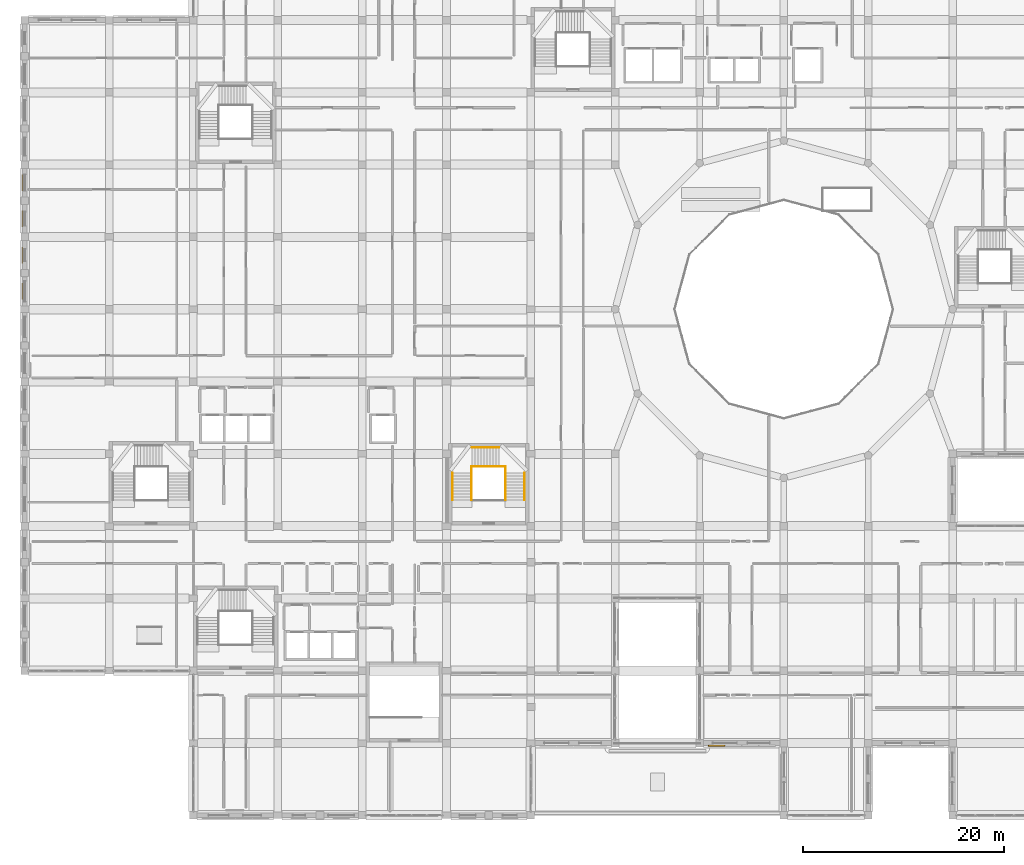
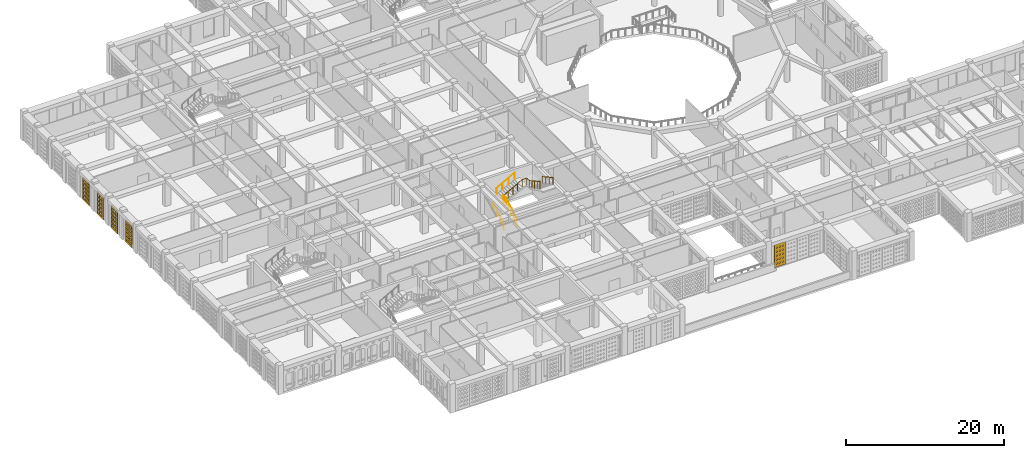
# One storey, part 81 of 111: 6 railings, 5 coverings.
"""IFC4 building model written with IfcOpenShell, lengths in metres."""

from ifc_helpers import new_model, si_unit, derived_unit, direction, frame, origin, origin_2d, place, context, subcontext, project, spatial, polyline, circle, outline, extrude, material, layer, layer_set, type_object, element, save


model = new_model("IFC4")

# Units and contexts
model_context = context("Model", 3, precision=1e-05, world=origin(), true_north=direction((0.0, 1.0)))
body_context = subcontext(model_context, "Body", "Model", "MODEL_VIEW")
ifc_project = project(units=[si_unit("LENGTHUNIT", "METRE"), si_unit("AREAUNIT", "SQUARE_METRE"), si_unit("VOLUMEUNIT", "CUBIC_METRE"), si_unit("PLANEANGLEUNIT", "RADIAN"), si_unit("MASSUNIT", "GRAM", prefix="KILO"), derived_unit("THERMALTRANSMITTANCEUNIT", [(si_unit("POWERUNIT", "WATT"), 1), (si_unit("LENGTHUNIT", "METRE"), -2), (si_unit("THERMODYNAMICTEMPERATUREUNIT", "KELVIN"), -1)])], contexts=[model_context])

# Site, building, storey
site_placement = place(None, origin())
site = spatial("IfcSite", under=ifc_project, at=site_placement, CompositionType="ELEMENT")
building_placement = place(site_placement, origin())
building = spatial("IfcBuilding", under=site, at=building_placement, Name="Veybourne Emporium", CompositionType="ELEMENT")
storey_placement = place(building_placement, frame((0.0, 0.0, 9.89990234375)))
storey = spatial("IfcBuildingStorey", under=building, at=storey_placement, Name="L02", CompositionType="ELEMENT", Elevation=9.89990234375)

# Railings
ifc_material_1 = material(Name="Brushed Stainless Steel", Category="steel")
railing_type_1 = type_object("IfcRailingType", Name="Guard_GR-01", PredefinedType="GUARDRAIL", material=ifc_material_1)
railing_1_placement = place(storey_placement, frame((44.510009765625, 31.39990234375, 0.0)))
element("IfcRailing", 1, at=railing_1_placement, inside=storey, type_object=railing_type_1, Name="L02 ST-05 stair guard 1", PredefinedType="GUARDRAIL", context=body_context, shape_type="SweptSolid", body=[
    extrude(circle(Radius=0.02392578125, at=origin_2d()), frame((0.0, 0.0, 1.1259765625), z_axis=(0.0, 0.874172188743, 0.48561608749), x_axis=(-1.0, 0.0, 0.0)), (0.0, 0.0, 1.0), 3.0888671875),
    extrude(circle(Radius=0.02392578125, at=origin_2d()), frame((0.0, 2.7001953125, 2.6259765625), z_axis=(0.0, 1.0, 0.0), x_axis=(-1.0, 0.0, 0.0)), (0.0, 0.0, 1.0), 0.639892578125),
    extrude(circle(Radius=0.02099609375, at=origin_2d()), origin(), (0.0, 0.0, 1.0), 1.101806640625),
    extrude(circle(Radius=0.02099609375, at=origin_2d()), frame((0.0, 0.675048828125, 0.375)), (0.0, 0.0, 1.0), 1.101806640625),
    extrude(circle(Radius=0.02099609375, at=origin_2d()), frame((0.0, 1.35009765625, 0.75)), (0.0, 0.0, 1.0), 1.101806640625),
    extrude(circle(Radius=0.02099609375, at=origin_2d()), frame((0.0, 2.025146484375, 1.125)), (0.0, 0.0, 1.0), 1.101806640625),
    extrude(circle(Radius=0.02099609375, at=origin_2d()), frame((0.0, 2.7001953125, 1.5)), (0.0, 0.0, 1.0), 1.101806640625),
    extrude(circle(Radius=0.02099609375, at=origin_2d()), frame((0.0, 3.340087890625, 1.5)), (0.0, 0.0, 1.0), 1.101806640625),
])
railing_2_placement = place(storey_placement, frame((44.510009765625, 34.739990234375, 1.5)))
element("IfcRailing", 2, at=railing_2_placement, inside=storey, type_object=railing_type_1, Name="L02 ST-05 stair guard 2", PredefinedType="GUARDRAIL", context=body_context, shape_type="SweptSolid", body=[
    extrude(circle(Radius=0.02392578125, at=origin_2d()), frame((0.0, 0.0, 1.1259765625), z_axis=(0.87715976088, 0.0, 0.480198660861), x_axis=(0.0, 1.0, 0.0)), (0.0, 0.0, 1.0), 3.123779296875),
    extrude(circle(Radius=0.02392578125, at=origin_2d()), frame((2.739990234375, 0.0, 2.6259765625), z_axis=(1.0, 0.0, 0.0), x_axis=(0.0, 1.0, 0.0)), (0.0, 0.0, 1.0), 0.639892578125),
    extrude(circle(Radius=0.02099609375, at=origin_2d()), origin(), (0.0, 0.0, 1.0), 1.101806640625),
    extrude(circle(Radius=0.02099609375, at=origin_2d()), frame((0.68505859375, 0.0, 0.375)), (0.0, 0.0, 1.0), 1.101806640625),
    extrude(circle(Radius=0.02099609375, at=origin_2d()), frame((1.3701171875, 0.0, 0.75)), (0.0, 0.0, 1.0), 1.101806640625),
    extrude(circle(Radius=0.02099609375, at=origin_2d()), frame((2.054931640625, 0.0, 1.125)), (0.0, 0.0, 1.0), 1.101806640625),
    extrude(circle(Radius=0.02099609375, at=origin_2d()), frame((2.739990234375, 0.0, 1.5)), (0.0, 0.0, 1.0), 1.101806640625),
    extrude(circle(Radius=0.02099609375, at=origin_2d()), frame((3.3798828125, 0.0, 1.5)), (0.0, 0.0, 1.0), 1.101806640625),
])
railing_3_placement = place(storey_placement, frame((47.889892578125, 34.739990234375, 3.0)))
element("IfcRailing", 3, at=railing_3_placement, inside=storey, type_object=railing_type_1, Name="L02 ST-05 stair guard 3", PredefinedType="GUARDRAIL", context=body_context, shape_type="SweptSolid", body=[
    extrude(circle(Radius=0.02392578125, at=origin_2d()), frame((0.0, 0.0, 1.1259765625), z_axis=(0.0, -1.0, 0.0), x_axis=(1.0, 0.0, 0.0)), (0.0, 0.0, 1.0), 0.639892578125),
    extrude(circle(Radius=0.02392578125, at=origin_2d()), frame((0.0, -0.639892578125, 1.1259765625), z_axis=(0.0, -0.874172188743, 0.48561608749), x_axis=(1.0, 0.0, 0.0)), (0.0, 0.0, 1.0), 3.0888671875),
    extrude(circle(Radius=0.02099609375, at=origin_2d()), origin(), (0.0, 0.0, 1.0), 1.101806640625),
    extrude(circle(Radius=0.02099609375, at=origin_2d()), frame((0.0, -0.639892578125, 0.0)), (0.0, 0.0, 1.0), 1.101806640625),
    extrude(circle(Radius=0.02099609375, at=origin_2d()), frame((0.0, -1.31494140625, 0.375)), (0.0, 0.0, 1.0), 1.101806640625),
    extrude(circle(Radius=0.02099609375, at=origin_2d()), frame((0.0, -1.989990234375, 0.75)), (0.0, 0.0, 1.0), 1.101806640625),
    extrude(circle(Radius=0.02099609375, at=origin_2d()), frame((0.0, -2.6650390625, 1.125)), (0.0, 0.0, 1.0), 1.101806640625),
    extrude(circle(Radius=0.02099609375, at=origin_2d()), frame((0.0, -3.340087890625, 1.5)), (0.0, 0.0, 1.0), 1.101806640625),
])
railing_type_2 = type_object("IfcRailingType", Name="Handrail_HR-01", PredefinedType="HANDRAIL", material=ifc_material_1)
railing_4_placement = place(storey_placement, frame((42.610107421875, 31.39990234375, 0.150146484375)))
element("IfcRailing", 4, at=railing_4_placement, inside=storey, type_object=railing_type_2, Name="L02 ST-05 pitch handrail 1", PredefinedType="HANDRAIL", context=body_context, shape_type="SweptSolid", body=[
    extrude(circle(Radius=0.02392578125, at=origin_2d()), frame((0.0, 0.0, 0.92578125), z_axis=(0.0, 0.874172188743, 0.48561608749), x_axis=(-1.0, 0.0, 0.0)), (0.0, 0.0, 1.0), 3.0888671875),
    extrude(circle(Radius=0.02099609375, at=origin_2d()), frame((0.0, 0.0, -0.14990234375)), (0.0, 0.0, 1.0), 1.0517578125),
    extrude(circle(Radius=0.02099609375, at=origin_2d()), frame((0.0, 0.900146484375, 0.35009765625)), (0.0, 0.0, 1.0), 1.0517578125),
    extrude(circle(Radius=0.02099609375, at=origin_2d()), frame((0.0, 1.800048828125, 0.85009765625)), (0.0, 0.0, 1.0), 1.0517578125),
    extrude(circle(Radius=0.02099609375, at=origin_2d()), frame((0.0, 2.7001953125, 1.35009765625)), (0.0, 0.0, 1.0), 1.0517578125),
])
railing_5_placement = place(storey_placement, frame((44.550048828125, 36.639892578125, 1.650146484375)))
element("IfcRailing", 5, at=railing_5_placement, inside=storey, type_object=railing_type_2, Name="L02 ST-05 pitch handrail 2", PredefinedType="HANDRAIL", context=body_context, shape_type="SweptSolid", body=[
    extrude(circle(Radius=0.02392578125, at=origin_2d()), frame((0.0, 0.0, 0.92578125), z_axis=(0.87415354758, 0.0, 0.485649642493), x_axis=(0.0, 1.0, 0.0)), (0.0, 0.0, 1.0), 3.088623046875),
    extrude(circle(Radius=0.02099609375, at=origin_2d()), frame((0.0, 0.0, -0.14990234375)), (0.0, 0.0, 1.0), 1.0517578125),
    extrude(circle(Radius=0.02099609375, at=origin_2d()), frame((0.89990234375, 0.0, 0.35009765625)), (0.0, 0.0, 1.0), 1.0517578125),
    extrude(circle(Radius=0.02099609375, at=origin_2d()), frame((1.800048828125, 0.0, 0.85009765625)), (0.0, 0.0, 1.0), 1.0517578125),
    extrude(circle(Radius=0.02099609375, at=origin_2d()), frame((2.699951171875, 0.0, 1.35009765625)), (0.0, 0.0, 1.0), 1.0517578125),
])
railing_6_placement = place(storey_placement, frame((49.7900390625, 34.10009765625, 3.150146484375)))
element("IfcRailing", 6, at=railing_6_placement, inside=storey, type_object=railing_type_2, Name="L02 ST-05 pitch handrail 3", PredefinedType="HANDRAIL", context=body_context, shape_type="SweptSolid", body=[
    extrude(circle(Radius=0.02392578125, at=origin_2d()), frame((0.0, 0.0, 0.92578125), z_axis=(0.0, -0.874172188743, 0.48561608749), x_axis=(1.0, 0.0, 0.0)), (0.0, 0.0, 1.0), 3.0888671875),
    extrude(circle(Radius=0.02099609375, at=origin_2d()), frame((0.0, 0.0, -0.14990234375)), (0.0, 0.0, 1.0), 1.0517578125),
    extrude(circle(Radius=0.02099609375, at=origin_2d()), frame((0.0, -0.900146484375, 0.35009765625)), (0.0, 0.0, 1.0), 1.0517578125),
    extrude(circle(Radius=0.02099609375, at=origin_2d()), frame((0.0, -1.800048828125, 0.85009765625)), (0.0, 0.0, 1.0), 1.0517578125),
    extrude(circle(Radius=0.02099609375, at=origin_2d()), frame((0.0, -2.7001953125, 1.35009765625)), (0.0, 0.0, 1.0), 1.0517578125),
])

# Coverings
ifc_material_2 = material(Name="Warm-White Perforated Aluminium Screen Alloy", Category="aluminium")
ifc_layer_1 = layer(ifc_material_2, 0.06005859375)
ifc_layer_set_1 = layer_set([ifc_layer_1], Name="Warm-White Perforated Aluminium Screen Alloy")
covering_type_1 = type_object("IfcCoveringType", Name="WaveScreen_SCR-02", PredefinedType="CLADDING", material=ifc_layer_set_1)
covering_1_placement = place(storey_placement, frame((68.8798828125, 6.90185546875, 1.815185546875), z_axis=(0.0, 1.0, 0.0), x_axis=(-1.0, 0.0, 0.0)))
element("IfcCovering", 7, at=covering_1_placement, inside=storey, type_object=covering_type_1, Name="L02 wave-perforated aluminium screen SCR-02 (35.4)", PredefinedType="CLADDING", context=body_context, shape_type="SweptSolid", body=[
    extrude(outline(polyline([(-0.81982421875, -1.7548828125), (0.81982421875, -1.7548828125), (0.81982421875, 1.7548828125), (-0.81982421875, 1.7548828125), (-0.81982421875, -1.7548828125)]), holes=[polyline([(-0.433349609375, -1.102783203125), (-0.32080078125, -1.182861328125), (-0.32080078125, -1.273193359375), (-0.433349609375, -1.353271484375), (-0.5458984375, -1.273193359375), (-0.5458984375, -1.182861328125), (-0.433349609375, -1.102783203125)]), polyline([(-0.433349609375, -0.495849609375), (-0.32666015625, -0.571533203125), (-0.32666015625, -0.656494140625), (-0.433349609375, -0.732177734375), (-0.539794921875, -0.656494140625), (-0.539794921875, -0.571533203125), (-0.433349609375, -0.495849609375)]), polyline([(-0.433349609375, 0.113037109375), (-0.330810546875, 0.040771484375), (-0.330810546875, -0.040771484375), (-0.433349609375, -0.113037109375), (-0.535888671875, -0.040771484375), (-0.535888671875, 0.040771484375), (-0.433349609375, 0.113037109375)]), polyline([(-0.433349609375, 0.724365234375), (-0.3330078125, 0.65380859375), (-0.3330078125, 0.57421875), (-0.433349609375, 0.503662109375), (-0.53369140625, 0.57421875), (-0.53369140625, 0.65380859375), (-0.433349609375, 0.724365234375)]), polyline([(-0.433349609375, 1.338134765625), (-0.333251953125, 1.267578125), (-0.333251953125, 1.188232421875), (-0.433349609375, 1.117919921875), (-0.533447265625, 1.188232421875), (-0.533447265625, 1.267578125), (-0.433349609375, 1.338134765625)]), polyline([(0.0, -1.098876953125), (0.11572265625, -1.181396484375), (0.11572265625, -1.2744140625), (0.0, -1.357177734375), (-0.11572265625, -1.2744140625), (-0.11572265625, -1.181396484375), (0.0, -1.098876953125)]), polyline([(0.0, -0.492919921875), (0.109130859375, -0.5703125), (0.109130859375, -0.65771484375), (0.0, -0.735107421875), (-0.109130859375, -0.65771484375), (-0.109130859375, -0.5703125), (0.0, -0.492919921875)]), polyline([(0.0, 0.114990234375), (0.10400390625, 0.04150390625), (0.10400390625, -0.04150390625), (0.0, -0.114990234375), (-0.10400390625, -0.04150390625), (-0.10400390625, 0.04150390625), (0.0, 0.114990234375)]), polyline([(0.0, 0.725341796875), (0.10107421875, 0.654052734375), (0.10107421875, 0.573974609375), (0.0, 0.502685546875), (-0.10107421875, 0.573974609375), (-0.10107421875, 0.654052734375), (0.0, 0.725341796875)]), polyline([(0.0, 1.337890625), (0.10009765625, 1.267578125), (0.10009765625, 1.1884765625), (0.0, 1.117919921875), (-0.10009765625, 1.1884765625), (-0.10009765625, 1.267578125), (0.0, 1.337890625)]), polyline([(0.433349609375, -1.094482421875), (0.552490234375, -1.179931640625), (0.552490234375, -1.276123046875), (0.433349609375, -1.361572265625), (0.314208984375, -1.276123046875), (0.314208984375, -1.179931640625), (0.433349609375, -1.094482421875)]), polyline([(0.433349609375, -0.489501953125), (0.545166015625, -0.569091796875), (0.545166015625, -0.65869140625), (0.433349609375, -0.738525390625), (0.321533203125, -0.65869140625), (0.321533203125, -0.569091796875), (0.433349609375, -0.489501953125)]), polyline([(0.433349609375, 0.117431640625), (0.53955078125, 0.042236328125), (0.53955078125, -0.042236328125), (0.433349609375, -0.117431640625), (0.3271484375, -0.042236328125), (0.3271484375, 0.042236328125), (0.433349609375, 0.117431640625)]), polyline([(0.433349609375, 0.726806640625), (0.53564453125, 0.654541015625), (0.53564453125, 0.573486328125), (0.433349609375, 0.501220703125), (0.3310546875, 0.573486328125), (0.3310546875, 0.654541015625), (0.433349609375, 0.726806640625)]), polyline([(0.433349609375, 1.33837890625), (0.53369140625, 1.267578125), (0.53369140625, 1.188232421875), (0.433349609375, 1.11767578125), (0.3330078125, 1.188232421875), (0.3330078125, 1.267578125), (0.433349609375, 1.33837890625)])]), origin(), (0.0, 0.0, 1.0), 0.06005859375),
])
ifc_layer_2 = layer(ifc_material_2, 0.06005859375)
ifc_layer_set_2 = layer_set([ifc_layer_2], Name="Warm-White Perforated Aluminium Screen Alloy")
covering_type_2 = type_object("IfcCoveringType", Name="WaveScreen_SCR-03", PredefinedType="CLADDING", material=ifc_layer_set_2)
covering_2_placement = place(storey_placement, frame((-0.298095703125, 52.177490234375, 1.815185546875), z_axis=(1.0, 0.0, 0.0), x_axis=(0.0, 1.0, 0.0)))
element("IfcCovering", 8, at=covering_2_placement, inside=storey, type_object=covering_type_2, Name="L02 wave-perforated aluminium screen SCR-03 (7A.1)", PredefinedType="CLADDING", context=body_context, shape_type="SweptSolid", body=[
    extrude(outline(polyline([(-0.81982421875, -1.7548828125), (0.81982421875, -1.7548828125), (0.81982421875, 1.7548828125), (-0.81982421875, 1.7548828125), (-0.81982421875, -1.7548828125)]), holes=[polyline([(-0.433349609375, -1.06494140625), (-0.289794921875, -1.169189453125), (-0.289794921875, -1.28662109375), (-0.433349609375, -1.39111328125), (-0.576904296875, -1.28662109375), (-0.576904296875, -1.169189453125), (-0.433349609375, -1.06494140625)]), polyline([(-0.433349609375, -0.437255859375), (-0.27880859375, -0.55029296875), (-0.27880859375, -0.677490234375), (-0.433349609375, -0.790771484375), (-0.587890625, -0.677490234375), (-0.587890625, -0.55029296875), (-0.433349609375, -0.437255859375)]), polyline([(-0.433349609375, 0.19091796875), (-0.26708984375, 0.068603515625), (-0.26708984375, -0.068603515625), (-0.433349609375, -0.19091796875), (-0.599609375, -0.068603515625), (-0.599609375, 0.068603515625), (-0.433349609375, 0.19091796875)]), polyline([(-0.433349609375, 0.81884765625), (-0.255615234375, 0.687744140625), (-0.255615234375, 0.540283203125), (-0.433349609375, 0.4091796875), (-0.611083984375, 0.540283203125), (-0.611083984375, 0.687744140625), (-0.433349609375, 0.81884765625)]), polyline([(-0.433349609375, 1.44677734375), (-0.2470703125, 1.306640625), (-0.2470703125, 1.1494140625), (-0.433349609375, 1.00927734375), (-0.61962890625, 1.1494140625), (-0.61962890625, 1.306640625), (-0.433349609375, 1.44677734375)]), polyline([(0.0, -1.058837890625), (0.1484375, -1.1669921875), (0.1484375, -1.288818359375), (0.0, -1.397216796875), (-0.1484375, -1.288818359375), (-0.1484375, -1.1669921875), (0.0, -1.058837890625)]), polyline([(0.0, -0.430908203125), (0.159912109375, -0.548095703125), (0.159912109375, -0.679931640625), (0.0, -0.797119140625), (-0.159912109375, -0.679931640625), (-0.159912109375, -0.548095703125), (0.0, -0.430908203125)]), polyline([(0.0, 0.197265625), (0.17138671875, 0.071044921875), (0.17138671875, -0.071044921875), (0.0, -0.197265625), (-0.17138671875, -0.071044921875), (-0.17138671875, 0.071044921875), (0.0, 0.197265625)]), polyline([(0.0, 0.8251953125), (0.182861328125, 0.690185546875), (0.182861328125, 0.537841796875), (0.0, 0.402587890625), (-0.182861328125, 0.537841796875), (-0.182861328125, 0.690185546875), (0.0, 0.8251953125)]), polyline([(0.0, 1.45263671875), (0.186279296875, 1.308837890625), (0.186279296875, 1.147216796875), (0.0, 1.00341796875), (-0.186279296875, 1.147216796875), (-0.186279296875, 1.308837890625), (0.0, 1.45263671875)]), polyline([(0.433349609375, -1.052490234375), (0.5869140625, -1.164794921875), (0.5869140625, -1.291259765625), (0.433349609375, -1.4033203125), (0.27978515625, -1.291259765625), (0.27978515625, -1.164794921875), (0.433349609375, -1.052490234375)]), polyline([(0.433349609375, -0.424560546875), (0.598388671875, -0.5458984375), (0.598388671875, -0.68212890625), (0.433349609375, -0.803466796875), (0.268310546875, -0.68212890625), (0.268310546875, -0.5458984375), (0.433349609375, -0.424560546875)]), polyline([(0.433349609375, 0.20361328125), (0.610107421875, 0.0732421875), (0.610107421875, -0.0732421875), (0.433349609375, -0.20361328125), (0.256591796875, -0.0732421875), (0.256591796875, 0.0732421875), (0.433349609375, 0.20361328125)]), polyline([(0.433349609375, 0.83154296875), (0.61962890625, 0.6923828125), (0.61962890625, 0.53564453125), (0.433349609375, 0.396484375), (0.2470703125, 0.53564453125), (0.2470703125, 0.6923828125), (0.433349609375, 0.83154296875)]), polyline([(0.433349609375, 1.45849609375), (0.61962890625, 1.31103515625), (0.61962890625, 1.14501953125), (0.433349609375, 0.997314453125), (0.2470703125, 1.14501953125), (0.2470703125, 1.31103515625), (0.433349609375, 1.45849609375)])]), origin(), (0.0, 0.0, 1.0), 0.06005859375),
])
covering_3_placement = place(storey_placement, frame((-0.298095703125, 55.797607421875, 1.815185546875), z_axis=(1.0, 0.0, 0.0), x_axis=(0.0, 1.0, 0.0)))
element("IfcCovering", 9, at=covering_3_placement, inside=storey, type_object=covering_type_2, Name="L02 wave-perforated aluminium screen SCR-03 (7B.1)", PredefinedType="CLADDING", context=body_context, shape_type="SweptSolid", body=[
    extrude(outline(polyline([(-0.81982421875, -1.7548828125), (0.81982421875, -1.7548828125), (0.81982421875, 1.7548828125), (-0.81982421875, 1.7548828125), (-0.81982421875, -1.7548828125)]), holes=[polyline([(-0.433349609375, -1.01220703125), (-0.2470703125, -1.150390625), (-0.2470703125, -1.3056640625), (-0.433349609375, -1.44384765625), (-0.61962890625, -1.3056640625), (-0.61962890625, -1.150390625), (-0.433349609375, -1.01220703125)]), polyline([(-0.433349609375, -0.385009765625), (-0.2470703125, -0.531494140625), (-0.2470703125, -0.696533203125), (-0.433349609375, -0.843017578125), (-0.61962890625, -0.696533203125), (-0.61962890625, -0.531494140625), (-0.433349609375, -0.385009765625)]), polyline([(-0.433349609375, 0.2412109375), (-0.2470703125, 0.0869140625), (-0.2470703125, -0.0869140625), (-0.433349609375, -0.2412109375), (-0.61962890625, -0.0869140625), (-0.61962890625, 0.0869140625), (-0.433349609375, 0.2412109375)]), polyline([(-0.433349609375, 0.865966796875), (-0.2470703125, 0.70458984375), (-0.2470703125, 0.523193359375), (-0.433349609375, 0.362060546875), (-0.61962890625, 0.523193359375), (-0.61962890625, 0.70458984375), (-0.433349609375, 0.865966796875)]), polyline([(-0.433349609375, 1.48876953125), (-0.2470703125, 1.322021484375), (-0.2470703125, 1.134033203125), (-0.433349609375, 0.96728515625), (-0.61962890625, 1.134033203125), (-0.61962890625, 1.322021484375), (-0.433349609375, 1.48876953125)]), polyline([(0.0, -1.006103515625), (0.186279296875, -1.148193359375), (0.186279296875, -1.307861328125), (0.0, -1.449951171875), (-0.186279296875, -1.307861328125), (-0.186279296875, -1.148193359375), (0.0, -1.006103515625)]), polyline([(0.0, -0.37939453125), (0.186279296875, -0.529541015625), (0.186279296875, -0.698486328125), (0.0, -0.8486328125), (-0.186279296875, -0.698486328125), (-0.186279296875, -0.529541015625), (0.0, -0.37939453125)]), polyline([(0.0, 0.24609375), (0.186279296875, 0.088623046875), (0.186279296875, -0.088623046875), (0.0, -0.24609375), (-0.186279296875, -0.088623046875), (-0.186279296875, 0.088623046875), (0.0, 0.24609375)]), polyline([(0.0, 0.8701171875), (0.186279296875, 0.706298828125), (0.186279296875, 0.521728515625), (0.0, 0.35791015625), (-0.186279296875, 0.521728515625), (-0.186279296875, 0.706298828125), (0.0, 0.8701171875)]), polyline([(0.0, 1.491943359375), (0.186279296875, 1.322998046875), (0.186279296875, 1.133056640625), (0.0, 0.964111328125), (-0.186279296875, 1.133056640625), (-0.186279296875, 1.322998046875), (0.0, 1.491943359375)]), polyline([(0.433349609375, -1.0), (0.61962890625, -1.14599609375), (0.61962890625, -1.31005859375), (0.433349609375, -1.455810546875), (0.2470703125, -1.31005859375), (0.2470703125, -1.14599609375), (0.433349609375, -1.0)]), polyline([(0.433349609375, -0.373779296875), (0.61962890625, -0.527587890625), (0.61962890625, -0.700439453125), (0.433349609375, -0.85400390625), (0.2470703125, -0.700439453125), (0.2470703125, -0.527587890625), (0.433349609375, -0.373779296875)]), polyline([(0.433349609375, 0.2509765625), (0.61962890625, 0.09033203125), (0.61962890625, -0.09033203125), (0.433349609375, -0.2509765625), (0.2470703125, -0.09033203125), (0.2470703125, 0.09033203125), (0.433349609375, 0.2509765625)]), polyline([(0.433349609375, 0.8740234375), (0.61962890625, 0.70751953125), (0.61962890625, 0.5205078125), (0.433349609375, 0.35400390625), (0.2470703125, 0.5205078125), (0.2470703125, 0.70751953125), (0.433349609375, 0.8740234375)]), polyline([(0.433349609375, 1.491943359375), (0.61962890625, 1.322998046875), (0.61962890625, 1.133056640625), (0.433349609375, 0.964111328125), (0.2470703125, 1.133056640625), (0.2470703125, 1.322998046875), (0.433349609375, 1.491943359375)])]), origin(), (0.0, 0.0, 1.0), 0.06005859375),
])
ifc_layer_3 = layer(ifc_material_2, 0.06005859375)
ifc_layer_set_3 = layer_set([ifc_layer_3], Name="Warm-White Perforated Aluminium Screen Alloy")
covering_type_3 = type_object("IfcCoveringType", Name="WaveScreen_SCR-04", PredefinedType="CLADDING", material=ifc_layer_set_3)
covering_4_placement = place(storey_placement, frame((-0.298095703125, 59.402587890625, 1.815185546875), z_axis=(1.0, 0.0, 0.0), x_axis=(0.0, 1.0, 0.0)))
element("IfcCovering", 10, at=covering_4_placement, inside=storey, type_object=covering_type_3, Name="L02 wave-perforated aluminium screen SCR-04 (8A.1)", PredefinedType="CLADDING", context=body_context, shape_type="SweptSolid", body=[
    extrude(outline(polyline([(-0.81982421875, -1.7548828125), (0.81982421875, -1.7548828125), (0.81982421875, 1.7548828125), (-0.81982421875, 1.7548828125), (-0.81982421875, -1.7548828125)]), holes=[polyline([(-0.433349609375, -0.968994140625), (-0.2470703125, -1.134765625), (-0.2470703125, -1.3212890625), (-0.433349609375, -1.48681640625), (-0.61962890625, -1.3212890625), (-0.61962890625, -1.134765625), (-0.433349609375, -0.968994140625)]), polyline([(-0.433349609375, -0.35009765625), (-0.2470703125, -0.51904296875), (-0.2470703125, -0.708984375), (-0.433349609375, -0.8779296875), (-0.61962890625, -0.708984375), (-0.61962890625, -0.51904296875), (-0.433349609375, -0.35009765625)]), polyline([(-0.433349609375, 0.263916015625), (-0.2470703125, 0.094970703125), (-0.2470703125, -0.094970703125), (-0.433349609375, -0.263916015625), (-0.61962890625, -0.094970703125), (-0.61962890625, 0.094970703125), (-0.433349609375, 0.263916015625)]), polyline([(-0.433349609375, 0.8779296875), (-0.2470703125, 0.708984375), (-0.2470703125, 0.51904296875), (-0.433349609375, 0.35009765625), (-0.61962890625, 0.51904296875), (-0.61962890625, 0.708984375), (-0.433349609375, 0.8779296875)]), polyline([(-0.433349609375, 1.491943359375), (-0.2470703125, 1.322998046875), (-0.2470703125, 1.133056640625), (-0.433349609375, 0.964111328125), (-0.61962890625, 1.133056640625), (-0.61962890625, 1.322998046875), (-0.433349609375, 1.491943359375)]), polyline([(0.0, -0.965576171875), (0.186279296875, -1.133544921875), (0.186279296875, -1.322509765625), (0.0, -1.490478515625), (-0.186279296875, -1.322509765625), (-0.186279296875, -1.133544921875), (0.0, -0.965576171875)]), polyline([(0.0, -0.35009765625), (0.186279296875, -0.51904296875), (0.186279296875, -0.708984375), (0.0, -0.8779296875), (-0.186279296875, -0.708984375), (-0.186279296875, -0.51904296875), (0.0, -0.35009765625)]), polyline([(0.0, 0.263916015625), (0.186279296875, 0.094970703125), (0.186279296875, -0.094970703125), (0.0, -0.263916015625), (-0.186279296875, -0.094970703125), (-0.186279296875, 0.094970703125), (0.0, 0.263916015625)]), polyline([(0.0, 0.8779296875), (0.186279296875, 0.708984375), (0.186279296875, 0.51904296875), (0.0, 0.35009765625), (-0.186279296875, 0.51904296875), (-0.186279296875, 0.708984375), (0.0, 0.8779296875)]), polyline([(0.0, 1.491943359375), (0.186279296875, 1.322998046875), (0.186279296875, 1.133056640625), (0.0, 0.964111328125), (-0.186279296875, 1.133056640625), (-0.186279296875, 1.322998046875), (0.0, 1.491943359375)]), polyline([(0.433349609375, -0.964111328125), (0.61962890625, -1.133056640625), (0.61962890625, -1.322998046875), (0.433349609375, -1.491943359375), (0.2470703125, -1.322998046875), (0.2470703125, -1.133056640625), (0.433349609375, -0.964111328125)]), polyline([(0.433349609375, -0.35009765625), (0.61962890625, -0.51904296875), (0.61962890625, -0.708984375), (0.433349609375, -0.8779296875), (0.2470703125, -0.708984375), (0.2470703125, -0.51904296875), (0.433349609375, -0.35009765625)]), polyline([(0.433349609375, 0.263916015625), (0.61962890625, 0.094970703125), (0.61962890625, -0.094970703125), (0.433349609375, -0.263916015625), (0.2470703125, -0.094970703125), (0.2470703125, 0.094970703125), (0.433349609375, 0.263916015625)]), polyline([(0.433349609375, 0.8779296875), (0.61962890625, 0.708984375), (0.61962890625, 0.51904296875), (0.433349609375, 0.35009765625), (0.2470703125, 0.51904296875), (0.2470703125, 0.708984375), (0.433349609375, 0.8779296875)]), polyline([(0.433349609375, 1.491943359375), (0.61962890625, 1.322998046875), (0.61962890625, 1.133056640625), (0.433349609375, 0.964111328125), (0.2470703125, 1.133056640625), (0.2470703125, 1.322998046875), (0.433349609375, 1.491943359375)])]), origin(), (0.0, 0.0, 1.0), 0.06005859375),
])
covering_5_placement = place(storey_placement, frame((-0.298095703125, 62.99755859375, 1.815185546875), z_axis=(1.0, 0.0, 0.0), x_axis=(0.0, 1.0, 0.0)))
element("IfcCovering", 11, at=covering_5_placement, inside=storey, type_object=covering_type_3, Name="L02 wave-perforated aluminium screen SCR-04 (8B.1)", PredefinedType="CLADDING", context=body_context, shape_type="SweptSolid", body=[
    extrude(outline(polyline([(-0.81982421875, -1.7548828125), (0.81982421875, -1.7548828125), (0.81982421875, 1.7548828125), (-0.81982421875, 1.7548828125), (-0.81982421875, -1.7548828125)]), holes=[polyline([(-0.433349609375, -0.964111328125), (-0.2470703125, -1.133056640625), (-0.2470703125, -1.322998046875), (-0.433349609375, -1.491943359375), (-0.61962890625, -1.322998046875), (-0.61962890625, -1.133056640625), (-0.433349609375, -0.964111328125)]), polyline([(-0.433349609375, -0.35009765625), (-0.2470703125, -0.51904296875), (-0.2470703125, -0.708984375), (-0.433349609375, -0.8779296875), (-0.61962890625, -0.708984375), (-0.61962890625, -0.51904296875), (-0.433349609375, -0.35009765625)]), polyline([(-0.433349609375, 0.263916015625), (-0.2470703125, 0.094970703125), (-0.2470703125, -0.094970703125), (-0.433349609375, -0.263916015625), (-0.61962890625, -0.094970703125), (-0.61962890625, 0.094970703125), (-0.433349609375, 0.263916015625)]), polyline([(-0.433349609375, 0.877685546875), (-0.2470703125, 0.708984375), (-0.2470703125, 0.51904296875), (-0.433349609375, 0.35009765625), (-0.61962890625, 0.51904296875), (-0.61962890625, 0.708984375), (-0.433349609375, 0.877685546875)]), polyline([(-0.433349609375, 1.483642578125), (-0.2470703125, 1.320068359375), (-0.2470703125, 1.135986328125), (-0.433349609375, 0.972412109375), (-0.61962890625, 1.135986328125), (-0.61962890625, 1.320068359375), (-0.433349609375, 1.483642578125)]), polyline([(0.0, -0.964111328125), (0.186279296875, -1.133056640625), (0.186279296875, -1.322998046875), (0.0, -1.491943359375), (-0.186279296875, -1.322998046875), (-0.186279296875, -1.133056640625), (0.0, -0.964111328125)]), polyline([(0.0, -0.35009765625), (0.186279296875, -0.51904296875), (0.186279296875, -0.708984375), (0.0, -0.8779296875), (-0.186279296875, -0.708984375), (-0.186279296875, -0.51904296875), (0.0, -0.35009765625)]), polyline([(0.0, 0.263916015625), (0.186279296875, 0.094970703125), (0.186279296875, -0.094970703125), (0.0, -0.263916015625), (-0.186279296875, -0.094970703125), (-0.186279296875, 0.094970703125), (0.0, 0.263916015625)]), polyline([(0.0, 0.874267578125), (0.186279296875, 0.707763671875), (0.186279296875, 0.520263671875), (0.0, 0.353759765625), (-0.186279296875, 0.520263671875), (-0.186279296875, 0.707763671875), (0.0, 0.874267578125)]), polyline([(0.0, 1.479248046875), (0.186279296875, 1.318603515625), (0.186279296875, 1.137451171875), (0.0, 0.976806640625), (-0.186279296875, 1.137451171875), (-0.186279296875, 1.318603515625), (0.0, 1.479248046875)]), polyline([(0.433349609375, -0.964111328125), (0.61962890625, -1.133056640625), (0.61962890625, -1.322998046875), (0.433349609375, -1.491943359375), (0.2470703125, -1.322998046875), (0.2470703125, -1.133056640625), (0.433349609375, -0.964111328125)]), polyline([(0.433349609375, -0.35009765625), (0.61962890625, -0.51904296875), (0.61962890625, -0.708984375), (0.433349609375, -0.8779296875), (0.2470703125, -0.708984375), (0.2470703125, -0.51904296875), (0.433349609375, -0.35009765625)]), polyline([(0.433349609375, 0.263916015625), (0.61962890625, 0.094970703125), (0.61962890625, -0.094970703125), (0.433349609375, -0.263916015625), (0.2470703125, -0.094970703125), (0.2470703125, 0.094970703125), (0.433349609375, 0.263916015625)]), polyline([(0.433349609375, 0.870361328125), (0.61962890625, 0.706298828125), (0.61962890625, 0.521728515625), (0.433349609375, 0.357666015625), (0.2470703125, 0.521728515625), (0.2470703125, 0.706298828125), (0.433349609375, 0.870361328125)]), polyline([(0.433349609375, 1.474609375), (0.61962890625, 1.31689453125), (0.61962890625, 1.13916015625), (0.433349609375, 0.9814453125), (0.2470703125, 1.13916015625), (0.2470703125, 1.31689453125), (0.433349609375, 1.474609375)])]), origin(), (0.0, 0.0, 1.0), 0.06005859375),
])

save(model, "model.ifc")
